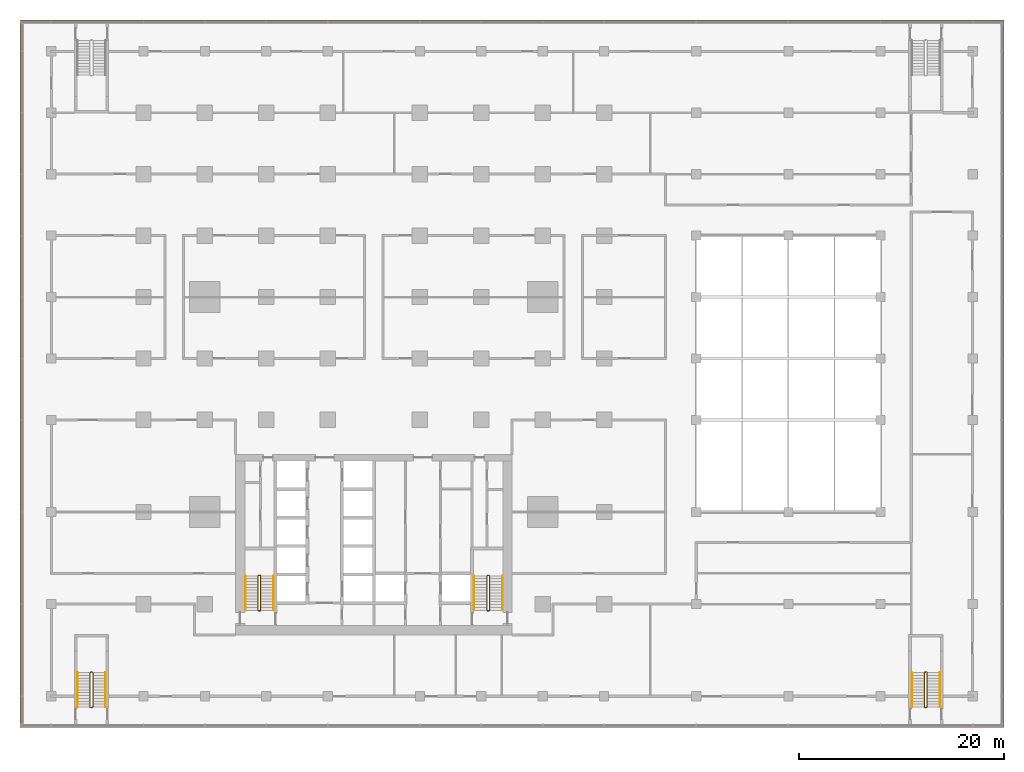
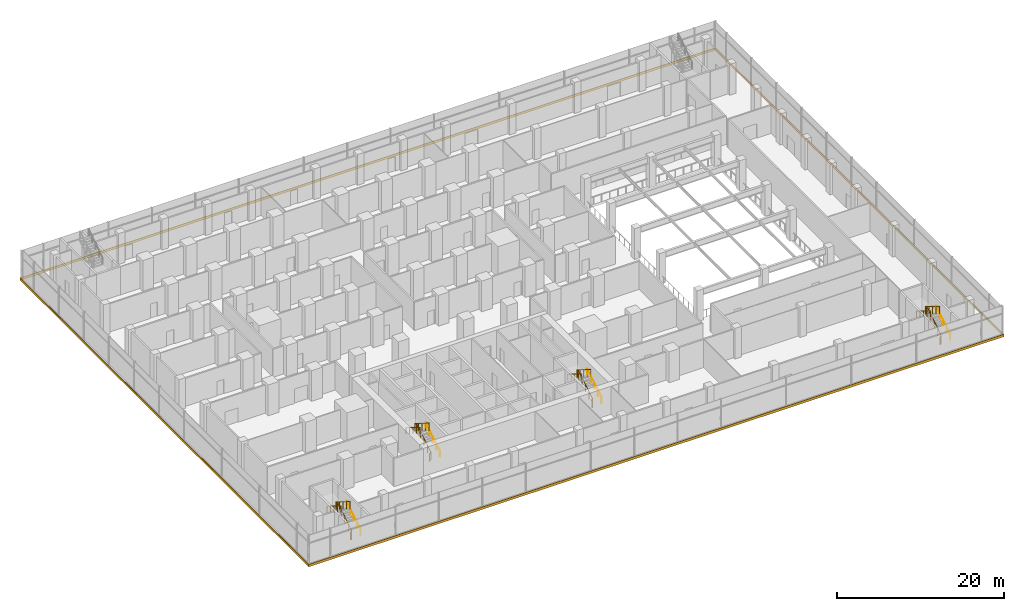
# One storey, part 21 of 22: 12 railings, 1 covering.
"""IFC4 building model written with IfcOpenShell, lengths in metres."""

import ifcopenshell
import ifcopenshell.guid

model = None  # the IFC model being written
_history = None  # IfcOwnerHistory: only IFC2X3 demands one
_inside = {}  # id of a spatial element -> (the spatial element, [elements in it])
_under = {}  # id of a project, library or spatial element -> (it, [spatial elements below it])
_declared = {}  # id of a project -> (the project, [libraries it declares])
_typed = {}  # id of a type object -> (the type object, [elements of that type])
_made_of = {}  # id of a material, layer set ... -> (it, [elements and type objects made of it])


def new_model(schema):
    """Start an empty IFC model of exactly this schema.

    Asked for "IFC4X3", IfcOpenShell would pick the latest addendum, in which some entities
    have other attributes; the version numbers below select the first issue.
    IFC2X3 requires an IfcOwnerHistory on every rooted entity: one is made here for all.
    """
    global model, _history
    if schema == "IFC4X3":
        model = ifcopenshell.file(schema_version=(4, 3, 0, 0))
    else:
        model = ifcopenshell.file(schema=schema)
    _inside.clear()
    _under.clear()
    _declared.clear()
    _typed.clear()
    _made_of.clear()
    _history = None
    if model.schema == "IFC2X3":
        org = make("IfcOrganization", Name="unknown")
        user = make(
            "IfcPersonAndOrganization",
            ThePerson=make("IfcPerson", FamilyName="unknown"),
            TheOrganization=org,
        )
        app = make(
            "IfcApplication",
            ApplicationDeveloper=org,
            Version="unknown",
            ApplicationFullName="unknown",
            ApplicationIdentifier="unknown",
        )
        _history = make(
            "IfcOwnerHistory",
            OwningUser=user,
            OwningApplication=app,
            ChangeAction="ADDED",
            CreationDate=0,
        )
    return model


def make(cls, **values):
    """One entity of the class cls with the attributes given. An attribute that is None is left unset."""
    return model.create_entity(
        cls, **{name: value for name, value in values.items() if value is not None}
    )


def rooted(cls, **values):
    """An entity with a GlobalId (a new one), such as an element, a storey or a relation."""
    return make(cls, GlobalId=ifcopenshell.guid.new(), OwnerHistory=_history, **values)


def si_unit(unit_type, name, prefix=None):
    """IfcSIUnit, for example si_unit("LENGTHUNIT", "METRE", prefix="MILLI")."""
    return make("IfcSIUnit", UnitType=unit_type, Prefix=prefix, Name=name)


def assignment(units):
    """IfcUnitAssignment: the units of a project."""
    return None if units is None else make("IfcUnitAssignment", Units=units)


def point(xyz):
    """IfcCartesianPoint."""
    return None if xyz is None else make("IfcCartesianPoint", Coordinates=xyz)


def direction(xyz):
    """IfcDirection."""
    return None if xyz is None else make("IfcDirection", DirectionRatios=xyz)


def frame(location, z_axis=None, x_axis=None):
    """IfcAxis2Placement3D, a coordinate frame: its origin and axes. An axis left out is left unset."""
    return make(
        "IfcAxis2Placement3D",
        Location=point(location),
        Axis=direction(z_axis),
        RefDirection=direction(x_axis),
    )


def frame_2d(location, x_axis=None):
    """IfcAxis2Placement2D, a coordinate frame in the plane: its origin and x axis."""
    return make(
        "IfcAxis2Placement2D", Location=point(location), RefDirection=direction(x_axis)
    )


def origin():
    """The frame at (0, 0, 0) with its axes left unset."""
    return frame((0.0, 0.0, 0.0))


def origin_2d():
    """The frame at (0, 0) in the plane with its x axis left unset."""
    return frame_2d((0.0, 0.0))


def place(relative_to, where):
    """IfcLocalPlacement: puts the frame where relative to a parent placement (None: the world)."""
    return make(
        "IfcLocalPlacement", PlacementRelTo=relative_to, RelativePlacement=where
    )


def context(
    kind, dimensions, precision=None, world=None, true_north=None, identifier=None
):
    """IfcGeometricRepresentationContext, for example the 3D "Model" context."""
    return make(
        "IfcGeometricRepresentationContext",
        ContextIdentifier=identifier,
        ContextType=kind,
        CoordinateSpaceDimension=dimensions,
        Precision=precision,
        WorldCoordinateSystem=world,
        TrueNorth=true_north,
    )


def subcontext(parent, identifier, kind, view, scale=None):
    """IfcGeometricRepresentationSubContext, for example "Body" below "Model"."""
    return make(
        "IfcGeometricRepresentationSubContext",
        ContextIdentifier=identifier,
        ContextType=kind,
        ParentContext=parent,
        TargetScale=scale,
        TargetView=view,
    )


def project(units=None, contexts=None):
    """IfcProject with its units and contexts."""
    return rooted(
        "IfcProject",
        Name="project",
        RepresentationContexts=contexts,
        UnitsInContext=assignment(units),
    )


def spatial(cls, under=None, at=None, **own):
    """A site, building, storey or space (cls), placed at a placement, below another one or the project."""
    s = rooted(cls, ObjectPlacement=at, **own)
    if under is not None:
        _under.setdefault(under.id(), (under, []))[1].append(s)
    return s


def polyline(points):
    """IfcPolyline through the points."""
    return make("IfcPolyline", Points=[point(p) for p in points])


def profile(cls, at=None, kind="AREA", **sizes):
    """A parametric profile (cls). Its sizes go by their IFC names, for example OverallWidth=200.0."""
    return make(cls, ProfileType=kind, Position=at, **sizes)


def circle(**sizes):
    """IfcCircleProfileDef."""
    return profile("IfcCircleProfileDef", **sizes)


def outline(outer, holes=None, kind="AREA"):
    """IfcArbitraryClosedProfileDef: a profile drawn as a closed curve; with holes, ...WithVoids."""
    if holes is None:
        return make("IfcArbitraryClosedProfileDef", ProfileType=kind, OuterCurve=outer)
    return make(
        "IfcArbitraryProfileDefWithVoids",
        ProfileType=kind,
        OuterCurve=outer,
        InnerCurves=holes,
    )


def extrude(swept, where, along, depth):
    """IfcExtrudedAreaSolid: the profile swept, set in the frame where, extruded along a direction by depth."""
    return make(
        "IfcExtrudedAreaSolid",
        SweptArea=swept,
        Position=where,
        ExtrudedDirection=direction(along),
        Depth=depth,
    )


def shape(context_of_items, identifier, shape_type, items):
    """IfcShapeRepresentation: the items that make up one representation, for example the "Body"."""
    return make(
        "IfcShapeRepresentation",
        ContextOfItems=context_of_items,
        RepresentationIdentifier=identifier,
        RepresentationType=shape_type,
        Items=items,
    )


def material(Name=None, Category=None):
    """IfcMaterial."""
    return make("IfcMaterial", Name=Name, Category=Category)


def layer(
    of_material, thickness, ventilated=None, Name=None, Category=None, Priority=None
):
    """IfcMaterialLayer: one layer of a wall or slab, of a material (None: an air gap)."""
    return make(
        "IfcMaterialLayer",
        Material=of_material,
        LayerThickness=thickness,
        IsVentilated=ventilated,
        Name=Name,
        Category=Category,
        Priority=Priority,
    )


def layer_set(layers, Name=None):
    """IfcMaterialLayerSet."""
    return make("IfcMaterialLayerSet", MaterialLayers=layers, LayerSetName=Name)


def made_of(thing, what):
    """Note that an element or type object is made of a material, layer set ...; save() writes the relation."""
    if what is not None:
        _made_of.setdefault(what.id(), (what, []))[1].append(thing)
    return thing


def type_object(cls, material=None, **own):
    """A type object (cls), such as IfcWallType, which elements share."""
    return made_of(rooted(cls, **own), material)


def element(
    cls,
    number,
    at=None,
    inside=None,
    cuts=None,
    type_object=None,
    material=None,
    context=None,
    identifier="Body",
    shape_type=None,
    held_by="IfcProductDefinitionShape",
    body=None,
    shapes=None,
    **own,
):
    """One element of the class cls, such as IfcWall. Its Tag is "e" and its number.

    at: its placement. inside: the storey or other place that contains it. cuts: it is an
    opening in that element (IfcRelVoidsElement). A single representation is given by context,
    identifier, shape_type and body (its items); several are given by shapes. held_by: the class
    of the entity that holds the representations. save() writes the other relations.
    """
    e = rooted(cls, Tag="e%d" % number, ObjectPlacement=at, **own)
    if body is not None:
        shapes = [shape(context, identifier, shape_type, body)]
    if shapes is not None:
        e.Representation = make(held_by, Representations=shapes)
    if inside is not None:
        _inside.setdefault(inside.id(), (inside, []))[1].append(e)
    if cuts is not None:
        rooted(
            "IfcRelVoidsElement", RelatingBuildingElement=cuts, RelatedOpeningElement=e
        )
    if type_object is not None:
        _typed.setdefault(type_object.id(), (type_object, []))[1].append(e)
    return made_of(e, material)


def aggregate(whole, parts):
    """IfcRelAggregates: a whole, such as a stair, and the parts it consists of."""
    return rooted("IfcRelAggregates", RelatingObject=whole, RelatedObjects=parts)


def save(model, path):
    """Write the relations noted so far, then the file.

    IfcRelAggregates (storeys below a building ...), IfcRelContainedInSpatialStructure (elements
    in a storey), IfcRelDefinesByType, IfcRelAssociatesMaterial and IfcRelDeclares: one each for
    every whole, place, type object, material and project.
    """
    for whole, parts in _under.values():
        aggregate(whole, parts)
    for where, things in _inside.values():
        rooted(
            "IfcRelContainedInSpatialStructure",
            RelatedElements=things,
            RelatingStructure=where,
        )
    for kind, things in _typed.values():
        rooted("IfcRelDefinesByType", RelatedObjects=things, RelatingType=kind)
    for what, things in _made_of.values():
        rooted("IfcRelAssociatesMaterial", RelatedObjects=things, RelatingMaterial=what)
    for by, libraries in _declared.values():
        rooted("IfcRelDeclares", RelatingContext=by, RelatedDefinitions=libraries)
    model.write(path)


model = new_model("IFC4")

# Units and contexts
model_context = context("Model", 3, precision=1e-05, world=origin(), true_north=direction((0.0, 1.0)))
body_context = subcontext(model_context, "Body", "Model", "MODEL_VIEW")
ifc_project = project(units=[si_unit("LENGTHUNIT", "METRE"), si_unit("AREAUNIT", "SQUARE_METRE"), si_unit("VOLUMEUNIT", "CUBIC_METRE"), si_unit("PLANEANGLEUNIT", "RADIAN"), si_unit("MASSUNIT", "GRAM", prefix="KILO")], contexts=[model_context])

# Site, building, storey
site_placement = place(None, origin())
site = spatial("IfcSite", under=ifc_project, at=site_placement, CompositionType="ELEMENT")
building_placement = place(site_placement, origin())
building = spatial("IfcBuilding", under=site, at=building_placement, Name="Finial Court Residences", CompositionType="ELEMENT")
storey_placement = place(building_placement, frame((0.0, 0.0, 28.0)))
storey = spatial("IfcBuildingStorey", under=building, at=storey_placement, Name="L05", CompositionType="ELEMENT", Elevation=28.0)

# Covering
ifc_material_1 = material(Name="Pale limestone", Category="masonry")
ifc_layer = layer(ifc_material_1, 0.06005859375)
ifc_layer_set = layer_set([ifc_layer], Name="Pale limestone slab-edge band 60")
covering_type = type_object("IfcCoveringType", Name="Pale limestone slab-edge band 60", PredefinedType="CLADDING", material=ifc_layer_set)
covering_placement = place(storey_placement, frame((0.0, 0.0, -0.35009765625)))
element("IfcCovering", 1, at=covering_placement, inside=storey, type_object=covering_type, Name="E-L05-BAND1", PredefinedType="CLADDING", context=body_context, shape_type="SweptSolid", body=[
    extrude(outline(polyline([(-34.56005859375, 34.56005859375), (61.56005859375, 34.56005859375), (61.56005859375, -34.56005859375), (-34.56005859375, -34.56005859375), (-34.56005859375, 34.56005859375)]), holes=[polyline([(61.5, -34.5), (61.5, 34.5), (-34.5, 34.5), (-34.5, -34.5), (61.5, -34.5)])]), origin(), (0.0, 0.0, 1.0), 0.35009765625),
])

# Railings
ifc_material_2 = material(Name="Stainless steel railing", Category="steel")
railing_type_1 = type_object("IfcRailingType", Name="Stair guard 1100", PredefinedType="GUARDRAIL", material=ifc_material_2)
railing_1_placement = place(storey_placement, frame((-11.10009765625, -23.14990234375, 0.0)))
element("IfcRailing", 2, at=railing_1_placement, inside=storey, type_object=railing_type_1, Name="L05 ST-1 stair guard 1", PredefinedType="GUARDRAIL", context=body_context, shape_type="SweptSolid", body=[
    extrude(circle(Radius=0.02392578125, at=origin_2d()), frame((0.0, 0.0, 1.076171875), z_axis=(-1.0, 0.0, 0.0), x_axis=(0.0, -1.0, 0.0)), (0.0, 0.0, 1.0), 0.14990234375),
    extrude(circle(Radius=0.02392578125, at=origin_2d()), frame((-0.14990234375, 0.0, 1.076171875), z_axis=(0.742994154839, 0.185068141132, 0.643202510111), x_axis=(-0.241699205484, 0.970351222016, 0.0)), (0.0, 0.0, 1.0), 0.26904296875),
    extrude(circle(Radius=0.02392578125, at=origin_2d()), frame((0.050048828125, 0.0498046875, 1.2490234375), z_axis=(0.0, 0.850623216509, 0.525775754039), x_axis=(-1.0, 0.0, 0.0)), (0.0, 0.0, 1.0), 3.9501953125),
    extrude(circle(Radius=0.02392578125, at=origin_2d()), frame((0.050048828125, 3.409912109375, 3.326171875), z_axis=(-0.707106781187, 0.707106781187, 0.0), x_axis=(-0.707106781187, -0.707106781187, 0.0)), (0.0, 0.0, 1.0), 0.07080078125),
    extrude(circle(Radius=0.02392578125, at=origin_2d()), frame((0.0, 3.4599609375, 3.326171875), z_axis=(-1.0, 0.0, 0.0), x_axis=(0.0, -1.0, 0.0)), (0.0, 0.0, 1.0), 0.14990234375),
    extrude(circle(Radius=0.02392578125, at=origin_2d()), frame((-0.14990234375, 3.4599609375, 3.326171875), z_axis=(-0.267629722418, -0.267629722418, 0.925607186314), x_axis=(0.707106781187, -0.707106781187, 0.0)), (0.0, 0.0, 1.0), 0.18701171875),
    extrude(circle(Radius=0.02392578125, at=origin_2d()), frame((-0.199951171875, 3.409912109375, 3.4990234375), z_axis=(0.0, -0.850623216509, 0.525775754039), x_axis=(1.0, 0.0, 0.0)), (0.0, 0.0, 1.0), 3.9501953125),
    extrude(circle(Radius=0.02099609375, at=origin_2d()), origin(), (0.0, 0.0, 1.0), 1.052001953125),
    extrude(circle(Radius=0.02099609375, at=origin_2d()), frame((-0.14990234375, 0.0, 0.0)), (0.0, 0.0, 1.0), 1.052001953125),
    extrude(circle(Radius=0.02099609375, at=origin_2d()), frame((0.050048828125, 0.0498046875, 0.173095703125)), (0.0, 0.0, 1.0), 1.052001953125),
    extrude(circle(Radius=0.02099609375, at=origin_2d()), frame((0.050048828125, 0.889892578125, 0.6923828125)), (0.0, 0.0, 1.0), 1.052001953125),
    extrude(circle(Radius=0.02099609375, at=origin_2d()), frame((0.050048828125, 1.72998046875, 1.21142578125)), (0.0, 0.0, 1.0), 1.052001953125),
    extrude(circle(Radius=0.02099609375, at=origin_2d()), frame((0.050048828125, 2.56982421875, 1.730712890625)), (0.0, 0.0, 1.0), 1.052001953125),
    extrude(circle(Radius=0.02099609375, at=origin_2d()), frame((0.050048828125, 3.409912109375, 2.25)), (0.0, 0.0, 1.0), 1.052001953125),
    extrude(circle(Radius=0.02099609375, at=origin_2d()), frame((0.0, 3.4599609375, 2.25)), (0.0, 0.0, 1.0), 1.052001953125),
    extrude(circle(Radius=0.02099609375, at=origin_2d()), frame((-0.14990234375, 3.4599609375, 2.25)), (0.0, 0.0, 1.0), 1.052001953125),
    extrude(circle(Radius=0.02099609375, at=origin_2d()), frame((-0.199951171875, 3.409912109375, 2.423095703125)), (0.0, 0.0, 1.0), 1.052001953125),
    extrude(circle(Radius=0.02099609375, at=origin_2d()), frame((-0.199951171875, 2.56982421875, 2.9423828125)), (0.0, 0.0, 1.0), 1.052001953125),
    extrude(circle(Radius=0.02099609375, at=origin_2d()), frame((-0.199951171875, 1.72998046875, 3.46142578125)), (0.0, 0.0, 1.0), 1.052001953125),
    extrude(circle(Radius=0.02099609375, at=origin_2d()), frame((-0.199951171875, 0.889892578125, 3.980712890625)), (0.0, 0.0, 1.0), 1.052001953125),
    extrude(circle(Radius=0.02099609375, at=origin_2d()), frame((-0.199951171875, 0.0498046875, 4.5)), (0.0, 0.0, 1.0), 1.052001953125),
])
railing_2_placement = place(storey_placement, frame((11.25, -23.14990234375, 0.0)))
element("IfcRailing", 3, at=railing_2_placement, inside=storey, type_object=railing_type_1, Name="L05 ST-2 stair guard 1", PredefinedType="GUARDRAIL", context=body_context, shape_type="SweptSolid", body=[
    extrude(circle(Radius=0.02392578125, at=origin_2d()), frame((0.0, 0.0, 1.076171875), z_axis=(-1.0, 0.0, 0.0), x_axis=(0.0, -1.0, 0.0)), (0.0, 0.0, 1.0), 0.14990234375),
    extrude(circle(Radius=0.02392578125, at=origin_2d()), frame((-0.14990234375, 0.0, 1.076171875), z_axis=(0.742994154839, 0.185068141132, 0.643202510111), x_axis=(-0.241699205484, 0.970351222016, 0.0)), (0.0, 0.0, 1.0), 0.26904296875),
    extrude(circle(Radius=0.02392578125, at=origin_2d()), frame((0.050048828125, 0.0498046875, 1.2490234375), z_axis=(0.0, 0.850623216509, 0.525775754039), x_axis=(-1.0, 0.0, 0.0)), (0.0, 0.0, 1.0), 3.9501953125),
    extrude(circle(Radius=0.02392578125, at=origin_2d()), frame((0.050048828125, 3.409912109375, 3.326171875), z_axis=(-0.707106781187, 0.707106781187, 0.0), x_axis=(-0.707106781187, -0.707106781187, 0.0)), (0.0, 0.0, 1.0), 0.07080078125),
    extrude(circle(Radius=0.02392578125, at=origin_2d()), frame((0.0, 3.4599609375, 3.326171875), z_axis=(-1.0, 0.0, 0.0), x_axis=(0.0, -1.0, 0.0)), (0.0, 0.0, 1.0), 0.14990234375),
    extrude(circle(Radius=0.02392578125, at=origin_2d()), frame((-0.14990234375, 3.4599609375, 3.326171875), z_axis=(-0.267629722418, -0.267629722418, 0.925607186314), x_axis=(0.707106781187, -0.707106781187, 0.0)), (0.0, 0.0, 1.0), 0.18701171875),
    extrude(circle(Radius=0.02392578125, at=origin_2d()), frame((-0.199951171875, 3.409912109375, 3.4990234375), z_axis=(0.0, -0.850623216509, 0.525775754039), x_axis=(1.0, 0.0, 0.0)), (0.0, 0.0, 1.0), 3.9501953125),
    extrude(circle(Radius=0.02099609375, at=origin_2d()), origin(), (0.0, 0.0, 1.0), 1.052001953125),
    extrude(circle(Radius=0.02099609375, at=origin_2d()), frame((-0.14990234375, 0.0, 0.0)), (0.0, 0.0, 1.0), 1.052001953125),
    extrude(circle(Radius=0.02099609375, at=origin_2d()), frame((0.050048828125, 0.0498046875, 0.173095703125)), (0.0, 0.0, 1.0), 1.052001953125),
    extrude(circle(Radius=0.02099609375, at=origin_2d()), frame((0.050048828125, 0.889892578125, 0.6923828125)), (0.0, 0.0, 1.0), 1.052001953125),
    extrude(circle(Radius=0.02099609375, at=origin_2d()), frame((0.050048828125, 1.72998046875, 1.21142578125)), (0.0, 0.0, 1.0), 1.052001953125),
    extrude(circle(Radius=0.02099609375, at=origin_2d()), frame((0.050048828125, 2.56982421875, 1.730712890625)), (0.0, 0.0, 1.0), 1.052001953125),
    extrude(circle(Radius=0.02099609375, at=origin_2d()), frame((0.050048828125, 3.409912109375, 2.25)), (0.0, 0.0, 1.0), 1.052001953125),
    extrude(circle(Radius=0.02099609375, at=origin_2d()), frame((0.0, 3.4599609375, 2.25)), (0.0, 0.0, 1.0), 1.052001953125),
    extrude(circle(Radius=0.02099609375, at=origin_2d()), frame((-0.14990234375, 3.4599609375, 2.25)), (0.0, 0.0, 1.0), 1.052001953125),
    extrude(circle(Radius=0.02099609375, at=origin_2d()), frame((-0.199951171875, 3.409912109375, 2.423095703125)), (0.0, 0.0, 1.0), 1.052001953125),
    extrude(circle(Radius=0.02099609375, at=origin_2d()), frame((-0.199951171875, 2.56982421875, 2.9423828125)), (0.0, 0.0, 1.0), 1.052001953125),
    extrude(circle(Radius=0.02099609375, at=origin_2d()), frame((-0.199951171875, 1.72998046875, 3.46142578125)), (0.0, 0.0, 1.0), 1.052001953125),
    extrude(circle(Radius=0.02099609375, at=origin_2d()), frame((-0.199951171875, 0.889892578125, 3.980712890625)), (0.0, 0.0, 1.0), 1.052001953125),
    extrude(circle(Radius=0.02099609375, at=origin_2d()), frame((-0.199951171875, 0.0498046875, 4.5)), (0.0, 0.0, 1.0), 1.052001953125),
])
railing_3_placement = place(storey_placement, frame((54.0, -32.60009765625, 0.0)))
element("IfcRailing", 4, at=railing_3_placement, inside=storey, type_object=railing_type_1, Name="L05 ST-3 stair guard 1", PredefinedType="GUARDRAIL", context=body_context, shape_type="SweptSolid", body=[
    extrude(circle(Radius=0.02392578125, at=origin_2d()), frame((0.0, 0.0, 1.076171875), z_axis=(-1.0, 0.0, 0.0), x_axis=(0.0, -1.0, 0.0)), (0.0, 0.0, 1.0), 0.14990234375),
    extrude(circle(Radius=0.02392578125, at=origin_2d()), frame((-0.14990234375, 0.0, 1.076171875), z_axis=(0.742869136974, 0.185944045274, 0.643094283413), x_axis=(-0.242814311512, 0.970072785993, 0.0)), (0.0, 0.0, 1.0), 0.26904296875),
    extrude(circle(Radius=0.02392578125, at=origin_2d()), frame((0.050048828125, 0.050048828125, 1.2490234375), z_axis=(0.0, 0.850623216509, 0.525775754039), x_axis=(-1.0, 0.0, 0.0)), (0.0, 0.0, 1.0), 3.9501953125),
    extrude(circle(Radius=0.02392578125, at=origin_2d()), frame((0.050048828125, 3.41015625, 3.326171875), z_axis=(-0.707106781187, 0.707106781187, 0.0), x_axis=(-0.707106781187, -0.707106781187, 0.0)), (0.0, 0.0, 1.0), 0.07080078125),
    extrude(circle(Radius=0.02392578125, at=origin_2d()), frame((0.0, 3.460205078125, 3.326171875), z_axis=(-1.0, 0.0, 0.0), x_axis=(0.0, -1.0, 0.0)), (0.0, 0.0, 1.0), 0.14990234375),
    extrude(circle(Radius=0.02392578125, at=origin_2d()), frame((-0.14990234375, 3.460205078125, 3.326171875), z_axis=(-0.267629722418, -0.267629722418, 0.925607186314), x_axis=(0.707106781187, -0.707106781187, 0.0)), (0.0, 0.0, 1.0), 0.18701171875),
    extrude(circle(Radius=0.02392578125, at=origin_2d()), frame((-0.199951171875, 3.41015625, 3.4990234375), z_axis=(0.0, -0.850623216509, 0.525775754039), x_axis=(1.0, 0.0, 0.0)), (0.0, 0.0, 1.0), 3.9501953125),
    extrude(circle(Radius=0.02099609375, at=origin_2d()), origin(), (0.0, 0.0, 1.0), 1.052001953125),
    extrude(circle(Radius=0.02099609375, at=origin_2d()), frame((-0.14990234375, 0.0, 0.0)), (0.0, 0.0, 1.0), 1.052001953125),
    extrude(circle(Radius=0.02099609375, at=origin_2d()), frame((0.050048828125, 0.050048828125, 0.173095703125)), (0.0, 0.0, 1.0), 1.052001953125),
    extrude(circle(Radius=0.02099609375, at=origin_2d()), frame((0.050048828125, 0.89013671875, 0.6923828125)), (0.0, 0.0, 1.0), 1.052001953125),
    extrude(circle(Radius=0.02099609375, at=origin_2d()), frame((0.050048828125, 1.72998046875, 1.21142578125)), (0.0, 0.0, 1.0), 1.052001953125),
    extrude(circle(Radius=0.02099609375, at=origin_2d()), frame((0.050048828125, 2.570068359375, 1.730712890625)), (0.0, 0.0, 1.0), 1.052001953125),
    extrude(circle(Radius=0.02099609375, at=origin_2d()), frame((0.050048828125, 3.41015625, 2.25)), (0.0, 0.0, 1.0), 1.052001953125),
    extrude(circle(Radius=0.02099609375, at=origin_2d()), frame((0.0, 3.460205078125, 2.25)), (0.0, 0.0, 1.0), 1.052001953125),
    extrude(circle(Radius=0.02099609375, at=origin_2d()), frame((-0.14990234375, 3.460205078125, 2.25)), (0.0, 0.0, 1.0), 1.052001953125),
    extrude(circle(Radius=0.02099609375, at=origin_2d()), frame((-0.199951171875, 3.41015625, 2.423095703125)), (0.0, 0.0, 1.0), 1.052001953125),
    extrude(circle(Radius=0.02099609375, at=origin_2d()), frame((-0.199951171875, 2.570068359375, 2.9423828125)), (0.0, 0.0, 1.0), 1.052001953125),
    extrude(circle(Radius=0.02099609375, at=origin_2d()), frame((-0.199951171875, 1.72998046875, 3.46142578125)), (0.0, 0.0, 1.0), 1.052001953125),
    extrude(circle(Radius=0.02099609375, at=origin_2d()), frame((-0.199951171875, 0.89013671875, 3.980712890625)), (0.0, 0.0, 1.0), 1.052001953125),
    extrude(circle(Radius=0.02099609375, at=origin_2d()), frame((-0.199951171875, 0.050048828125, 4.5)), (0.0, 0.0, 1.0), 1.052001953125),
])
railing_4_placement = place(storey_placement, frame((-27.5, -32.60009765625, 0.0)))
element("IfcRailing", 5, at=railing_4_placement, inside=storey, type_object=railing_type_1, Name="L05 ST-4 stair guard 1", PredefinedType="GUARDRAIL", context=body_context, shape_type="SweptSolid", body=[
    extrude(circle(Radius=0.02392578125, at=origin_2d()), frame((0.0, 0.0, 1.076171875), z_axis=(-1.0, 0.0, 0.0), x_axis=(0.0, -1.0, 0.0)), (0.0, 0.0, 1.0), 0.14990234375),
    extrude(circle(Radius=0.02392578125, at=origin_2d()), frame((-0.14990234375, 0.0, 1.076171875), z_axis=(0.742869136974, 0.185944045274, 0.643094283413), x_axis=(-0.242814311512, 0.970072785993, 0.0)), (0.0, 0.0, 1.0), 0.26904296875),
    extrude(circle(Radius=0.02392578125, at=origin_2d()), frame((0.050048828125, 0.050048828125, 1.2490234375), z_axis=(0.0, 0.850623216509, 0.525775754039), x_axis=(-1.0, 0.0, 0.0)), (0.0, 0.0, 1.0), 3.9501953125),
    extrude(circle(Radius=0.02392578125, at=origin_2d()), frame((0.050048828125, 3.41015625, 3.326171875), z_axis=(-0.707106781187, 0.707106781187, 0.0), x_axis=(-0.707106781187, -0.707106781187, 0.0)), (0.0, 0.0, 1.0), 0.07080078125),
    extrude(circle(Radius=0.02392578125, at=origin_2d()), frame((0.0, 3.460205078125, 3.326171875), z_axis=(-1.0, 0.0, 0.0), x_axis=(0.0, -1.0, 0.0)), (0.0, 0.0, 1.0), 0.14990234375),
    extrude(circle(Radius=0.02392578125, at=origin_2d()), frame((-0.14990234375, 3.460205078125, 3.326171875), z_axis=(-0.267629722418, -0.267629722418, 0.925607186314), x_axis=(0.707106781187, -0.707106781187, 0.0)), (0.0, 0.0, 1.0), 0.18701171875),
    extrude(circle(Radius=0.02392578125, at=origin_2d()), frame((-0.199951171875, 3.41015625, 3.4990234375), z_axis=(0.0, -0.850623216509, 0.525775754039), x_axis=(1.0, 0.0, 0.0)), (0.0, 0.0, 1.0), 3.9501953125),
    extrude(circle(Radius=0.02099609375, at=origin_2d()), origin(), (0.0, 0.0, 1.0), 1.052001953125),
    extrude(circle(Radius=0.02099609375, at=origin_2d()), frame((-0.14990234375, 0.0, 0.0)), (0.0, 0.0, 1.0), 1.052001953125),
    extrude(circle(Radius=0.02099609375, at=origin_2d()), frame((0.050048828125, 0.050048828125, 0.173095703125)), (0.0, 0.0, 1.0), 1.052001953125),
    extrude(circle(Radius=0.02099609375, at=origin_2d()), frame((0.050048828125, 0.89013671875, 0.6923828125)), (0.0, 0.0, 1.0), 1.052001953125),
    extrude(circle(Radius=0.02099609375, at=origin_2d()), frame((0.050048828125, 1.72998046875, 1.21142578125)), (0.0, 0.0, 1.0), 1.052001953125),
    extrude(circle(Radius=0.02099609375, at=origin_2d()), frame((0.050048828125, 2.570068359375, 1.730712890625)), (0.0, 0.0, 1.0), 1.052001953125),
    extrude(circle(Radius=0.02099609375, at=origin_2d()), frame((0.050048828125, 3.41015625, 2.25)), (0.0, 0.0, 1.0), 1.052001953125),
    extrude(circle(Radius=0.02099609375, at=origin_2d()), frame((0.0, 3.460205078125, 2.25)), (0.0, 0.0, 1.0), 1.052001953125),
    extrude(circle(Radius=0.02099609375, at=origin_2d()), frame((-0.14990234375, 3.460205078125, 2.25)), (0.0, 0.0, 1.0), 1.052001953125),
    extrude(circle(Radius=0.02099609375, at=origin_2d()), frame((-0.199951171875, 3.41015625, 2.423095703125)), (0.0, 0.0, 1.0), 1.052001953125),
    extrude(circle(Radius=0.02099609375, at=origin_2d()), frame((-0.199951171875, 2.570068359375, 2.9423828125)), (0.0, 0.0, 1.0), 1.052001953125),
    extrude(circle(Radius=0.02099609375, at=origin_2d()), frame((-0.199951171875, 1.72998046875, 3.46142578125)), (0.0, 0.0, 1.0), 1.052001953125),
    extrude(circle(Radius=0.02099609375, at=origin_2d()), frame((-0.199951171875, 0.89013671875, 3.980712890625)), (0.0, 0.0, 1.0), 1.052001953125),
    extrude(circle(Radius=0.02099609375, at=origin_2d()), frame((-0.199951171875, 0.050048828125, 4.5)), (0.0, 0.0, 1.0), 1.052001953125),
])
railing_type_2 = type_object("IfcRailingType", Name="Stair handrail 900", PredefinedType="HANDRAIL", material=ifc_material_2)
railing_5_placement = place(storey_placement, frame((-9.800048828125, -23.10009765625, 0.173095703125)))
element("IfcRailing", 6, at=railing_5_placement, inside=storey, type_object=railing_type_2, Name="L05 ST-1 stair handrail 1", PredefinedType="HANDRAIL", context=body_context, shape_type="SweptSolid", body=[
    extrude(circle(Radius=0.02392578125, at=origin_2d()), frame((0.0, 0.0, 0.8759765625), z_axis=(0.0, 0.850623216509, 0.525775754039), x_axis=(-1.0, 0.0, 0.0)), (0.0, 0.0, 1.0), 3.9501953125),
    extrude(circle(Radius=0.02099609375, at=origin_2d()), origin(), (0.0, 0.0, 1.0), 0.851806640625),
    extrude(circle(Radius=0.02099609375, at=origin_2d()), frame((0.0, 0.840087890625, 0.519287109375)), (0.0, 0.0, 1.0), 0.851806640625),
    extrude(circle(Radius=0.02099609375, at=origin_2d()), frame((0.0, 1.68017578125, 1.03857421875)), (0.0, 0.0, 1.0), 0.851806640625),
    extrude(circle(Radius=0.02099609375, at=origin_2d()), frame((0.0, 2.52001953125, 1.5576171875)), (0.0, 0.0, 1.0), 0.851806640625),
    extrude(circle(Radius=0.02099609375, at=origin_2d()), frame((0.0, 3.360107421875, 2.076904296875)), (0.0, 0.0, 1.0), 0.851806640625),
])
railing_6_placement = place(storey_placement, frame((-12.550048828125, -19.739990234375, 2.423095703125)))
element("IfcRailing", 7, at=railing_6_placement, inside=storey, type_object=railing_type_2, Name="L05 ST-1 stair handrail 2", PredefinedType="HANDRAIL", context=body_context, shape_type="SweptSolid", body=[
    extrude(circle(Radius=0.02392578125, at=origin_2d()), frame((0.0, 0.0, 0.8759765625), z_axis=(0.0, -0.850623216509, 0.525775754039), x_axis=(1.0, 0.0, 0.0)), (0.0, 0.0, 1.0), 3.9501953125),
    extrude(circle(Radius=0.02099609375, at=origin_2d()), origin(), (0.0, 0.0, 1.0), 0.851806640625),
    extrude(circle(Radius=0.02099609375, at=origin_2d()), frame((0.0, -0.840087890625, 0.519287109375)), (0.0, 0.0, 1.0), 0.851806640625),
    extrude(circle(Radius=0.02099609375, at=origin_2d()), frame((0.0, -1.68017578125, 1.03857421875)), (0.0, 0.0, 1.0), 0.851806640625),
    extrude(circle(Radius=0.02099609375, at=origin_2d()), frame((0.0, -2.52001953125, 1.5576171875)), (0.0, 0.0, 1.0), 0.851806640625),
    extrude(circle(Radius=0.02099609375, at=origin_2d()), frame((0.0, -3.360107421875, 2.076904296875)), (0.0, 0.0, 1.0), 0.851806640625),
])
railing_7_placement = place(storey_placement, frame((12.550048828125, -23.10009765625, 0.173095703125)))
element("IfcRailing", 8, at=railing_7_placement, inside=storey, type_object=railing_type_2, Name="L05 ST-2 stair handrail 1", PredefinedType="HANDRAIL", context=body_context, shape_type="SweptSolid", body=[
    extrude(circle(Radius=0.02392578125, at=origin_2d()), frame((0.0, 0.0, 0.8759765625), z_axis=(0.0, 0.850623216509, 0.525775754039), x_axis=(-1.0, 0.0, 0.0)), (0.0, 0.0, 1.0), 3.9501953125),
    extrude(circle(Radius=0.02099609375, at=origin_2d()), origin(), (0.0, 0.0, 1.0), 0.851806640625),
    extrude(circle(Radius=0.02099609375, at=origin_2d()), frame((0.0, 0.840087890625, 0.519287109375)), (0.0, 0.0, 1.0), 0.851806640625),
    extrude(circle(Radius=0.02099609375, at=origin_2d()), frame((0.0, 1.68017578125, 1.03857421875)), (0.0, 0.0, 1.0), 0.851806640625),
    extrude(circle(Radius=0.02099609375, at=origin_2d()), frame((0.0, 2.52001953125, 1.5576171875)), (0.0, 0.0, 1.0), 0.851806640625),
    extrude(circle(Radius=0.02099609375, at=origin_2d()), frame((0.0, 3.360107421875, 2.076904296875)), (0.0, 0.0, 1.0), 0.851806640625),
])
railing_8_placement = place(storey_placement, frame((9.800048828125, -19.739990234375, 2.423095703125)))
element("IfcRailing", 9, at=railing_8_placement, inside=storey, type_object=railing_type_2, Name="L05 ST-2 stair handrail 2", PredefinedType="HANDRAIL", context=body_context, shape_type="SweptSolid", body=[
    extrude(circle(Radius=0.02392578125, at=origin_2d()), frame((0.0, 0.0, 0.8759765625), z_axis=(0.0, -0.850623216509, 0.525775754039), x_axis=(1.0, 0.0, 0.0)), (0.0, 0.0, 1.0), 3.9501953125),
    extrude(circle(Radius=0.02099609375, at=origin_2d()), origin(), (0.0, 0.0, 1.0), 0.851806640625),
    extrude(circle(Radius=0.02099609375, at=origin_2d()), frame((0.0, -0.840087890625, 0.519287109375)), (0.0, 0.0, 1.0), 0.851806640625),
    extrude(circle(Radius=0.02099609375, at=origin_2d()), frame((0.0, -1.68017578125, 1.03857421875)), (0.0, 0.0, 1.0), 0.851806640625),
    extrude(circle(Radius=0.02099609375, at=origin_2d()), frame((0.0, -2.52001953125, 1.5576171875)), (0.0, 0.0, 1.0), 0.851806640625),
    extrude(circle(Radius=0.02099609375, at=origin_2d()), frame((0.0, -3.360107421875, 2.076904296875)), (0.0, 0.0, 1.0), 0.851806640625),
])
railing_9_placement = place(storey_placement, frame((55.300048828125, -32.550048828125, 0.173095703125)))
element("IfcRailing", 10, at=railing_9_placement, inside=storey, type_object=railing_type_2, Name="L05 ST-3 stair handrail 1", PredefinedType="HANDRAIL", context=body_context, shape_type="SweptSolid", body=[
    extrude(circle(Radius=0.02392578125, at=origin_2d()), frame((0.0, 0.0, 0.8759765625), z_axis=(0.0, 0.850623216509, 0.525775754039), x_axis=(-1.0, 0.0, 0.0)), (0.0, 0.0, 1.0), 3.9501953125),
    extrude(circle(Radius=0.02099609375, at=origin_2d()), origin(), (0.0, 0.0, 1.0), 0.851806640625),
    extrude(circle(Radius=0.02099609375, at=origin_2d()), frame((0.0, 0.840087890625, 0.519287109375)), (0.0, 0.0, 1.0), 0.851806640625),
    extrude(circle(Radius=0.02099609375, at=origin_2d()), frame((0.0, 1.68017578125, 1.03857421875)), (0.0, 0.0, 1.0), 0.851806640625),
    extrude(circle(Radius=0.02099609375, at=origin_2d()), frame((0.0, 2.52001953125, 1.5576171875)), (0.0, 0.0, 1.0), 0.851806640625),
    extrude(circle(Radius=0.02099609375, at=origin_2d()), frame((0.0, 3.360107421875, 2.076904296875)), (0.0, 0.0, 1.0), 0.851806640625),
])
railing_10_placement = place(storey_placement, frame((52.550048828125, -29.18994140625, 2.423095703125)))
element("IfcRailing", 11, at=railing_10_placement, inside=storey, type_object=railing_type_2, Name="L05 ST-3 stair handrail 2", PredefinedType="HANDRAIL", context=body_context, shape_type="SweptSolid", body=[
    extrude(circle(Radius=0.02392578125, at=origin_2d()), frame((0.0, 0.0, 0.8759765625), z_axis=(0.0, -0.850623216509, 0.525775754039), x_axis=(1.0, 0.0, 0.0)), (0.0, 0.0, 1.0), 3.9501953125),
    extrude(circle(Radius=0.02099609375, at=origin_2d()), origin(), (0.0, 0.0, 1.0), 0.851806640625),
    extrude(circle(Radius=0.02099609375, at=origin_2d()), frame((0.0, -0.840087890625, 0.519287109375)), (0.0, 0.0, 1.0), 0.851806640625),
    extrude(circle(Radius=0.02099609375, at=origin_2d()), frame((0.0, -1.68017578125, 1.03857421875)), (0.0, 0.0, 1.0), 0.851806640625),
    extrude(circle(Radius=0.02099609375, at=origin_2d()), frame((0.0, -2.52001953125, 1.5576171875)), (0.0, 0.0, 1.0), 0.851806640625),
    extrude(circle(Radius=0.02099609375, at=origin_2d()), frame((0.0, -3.360107421875, 2.076904296875)), (0.0, 0.0, 1.0), 0.851806640625),
])
railing_11_placement = place(storey_placement, frame((-26.199951171875, -32.550048828125, 0.173095703125)))
element("IfcRailing", 12, at=railing_11_placement, inside=storey, type_object=railing_type_2, Name="L05 ST-4 stair handrail 1", PredefinedType="HANDRAIL", context=body_context, shape_type="SweptSolid", body=[
    extrude(circle(Radius=0.02392578125, at=origin_2d()), frame((0.0, 0.0, 0.8759765625), z_axis=(0.0, 0.850623216509, 0.525775754039), x_axis=(-1.0, 0.0, 0.0)), (0.0, 0.0, 1.0), 3.9501953125),
    extrude(circle(Radius=0.02099609375, at=origin_2d()), origin(), (0.0, 0.0, 1.0), 0.851806640625),
    extrude(circle(Radius=0.02099609375, at=origin_2d()), frame((0.0, 0.840087890625, 0.519287109375)), (0.0, 0.0, 1.0), 0.851806640625),
    extrude(circle(Radius=0.02099609375, at=origin_2d()), frame((0.0, 1.68017578125, 1.03857421875)), (0.0, 0.0, 1.0), 0.851806640625),
    extrude(circle(Radius=0.02099609375, at=origin_2d()), frame((0.0, 2.52001953125, 1.5576171875)), (0.0, 0.0, 1.0), 0.851806640625),
    extrude(circle(Radius=0.02099609375, at=origin_2d()), frame((0.0, 3.360107421875, 2.076904296875)), (0.0, 0.0, 1.0), 0.851806640625),
])
railing_12_placement = place(storey_placement, frame((-28.949951171875, -29.18994140625, 2.423095703125)))
element("IfcRailing", 13, at=railing_12_placement, inside=storey, type_object=railing_type_2, Name="L05 ST-4 stair handrail 2", PredefinedType="HANDRAIL", context=body_context, shape_type="SweptSolid", body=[
    extrude(circle(Radius=0.02392578125, at=origin_2d()), frame((0.0, 0.0, 0.8759765625), z_axis=(0.0, -0.850623216509, 0.525775754039), x_axis=(1.0, 0.0, 0.0)), (0.0, 0.0, 1.0), 3.9501953125),
    extrude(circle(Radius=0.02099609375, at=origin_2d()), origin(), (0.0, 0.0, 1.0), 0.851806640625),
    extrude(circle(Radius=0.02099609375, at=origin_2d()), frame((0.0, -0.840087890625, 0.519287109375)), (0.0, 0.0, 1.0), 0.851806640625),
    extrude(circle(Radius=0.02099609375, at=origin_2d()), frame((0.0, -1.68017578125, 1.03857421875)), (0.0, 0.0, 1.0), 0.851806640625),
    extrude(circle(Radius=0.02099609375, at=origin_2d()), frame((0.0, -2.52001953125, 1.5576171875)), (0.0, 0.0, 1.0), 0.851806640625),
    extrude(circle(Radius=0.02099609375, at=origin_2d()), frame((0.0, -3.360107421875, 2.076904296875)), (0.0, 0.0, 1.0), 0.851806640625),
])

save(model, "model.ifc")
